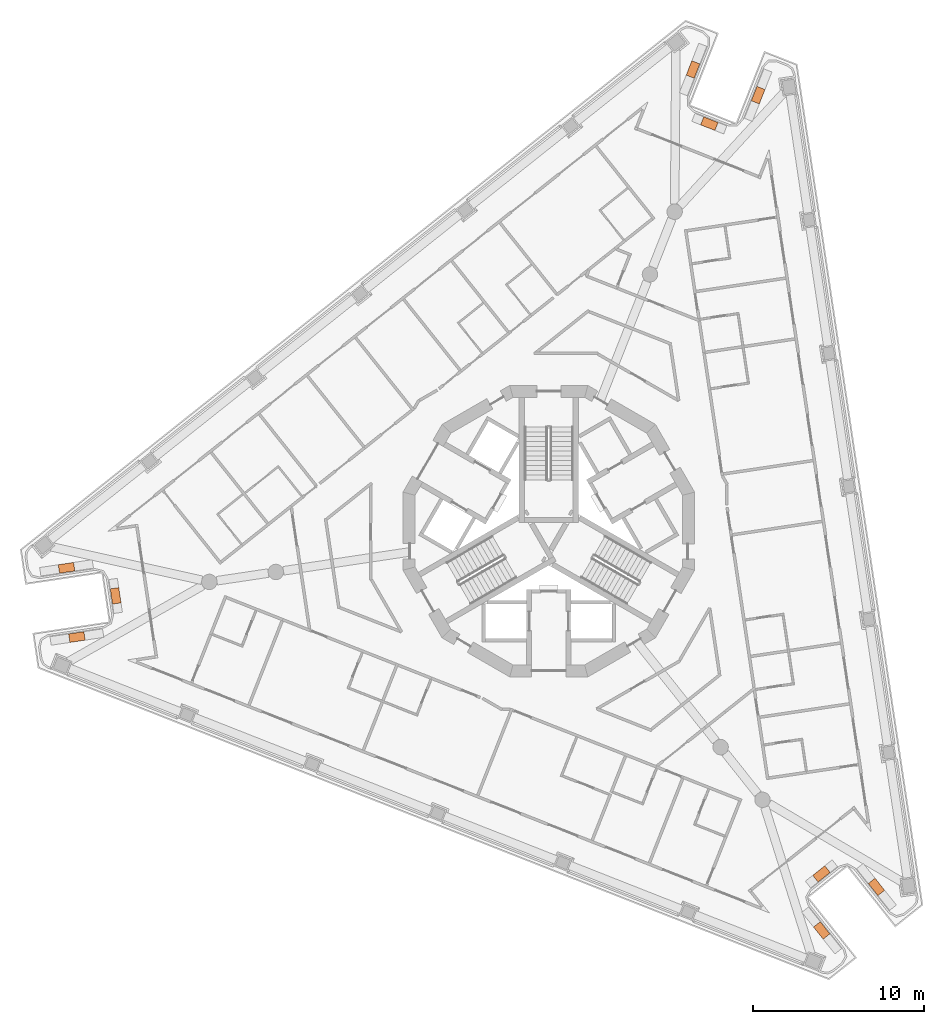
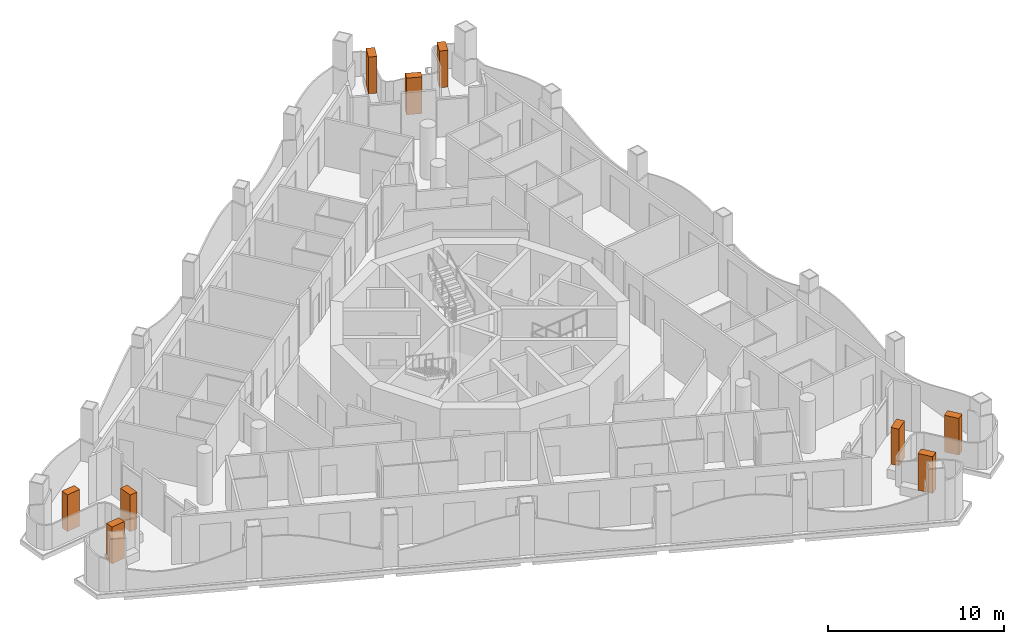
# One storey, part 16 of 16: 9 geographic elements.
"""IFC4 building model written with IfcOpenShell, lengths in metres."""

from ifc_helpers import new_model, si_unit, direction, frame, origin, origin_2d, place, context, subcontext, project, spatial, rectangle, extrude, element, save


model = new_model("IFC4")

# Units and contexts
model_context = context("Model", 3, precision=1e-05, world=origin(), true_north=direction((0.0, 1.0)))
body_context = subcontext(model_context, "Body", "Model", "MODEL_VIEW")
ifc_project = project(units=[si_unit("LENGTHUNIT", "METRE"), si_unit("AREAUNIT", "SQUARE_METRE"), si_unit("VOLUMEUNIT", "CUBIC_METRE"), si_unit("PLANEANGLEUNIT", "RADIAN"), si_unit("MASSUNIT", "GRAM", prefix="KILO")], contexts=[model_context])

# Site, building, storey
site_placement = place(None, origin())
site = spatial("IfcSite", under=ifc_project, at=site_placement, CompositionType="ELEMENT")
building_placement = place(site_placement, origin())
building = spatial("IfcBuilding", under=site, at=building_placement, Name="Trine Commons Tower", CompositionType="ELEMENT")
storey_placement = place(building_placement, frame((0.0, 0.0, 201.60009765625)))
storey = spatial("IfcBuildingStorey", under=building, at=storey_placement, Name="L52", CompositionType="ELEMENT", Elevation=201.60009765625)

# Geographic elements
for number, where, z_axis, x_axis, name in (
    (1, (52.4794921875, 56.324462890625, 0.60009765625), (0.0, 0.0, 1.0), (0.989018700917, 0.147790423361, 0.0), "Tree 1.1"),
    (2, (54.73974609375, 58.724853515625, 0.60009765625), (0.0, 0.0, 1.0), (-0.147812863445, 0.989015347404, 0.0), "Tree 2.1"),
    (3, (51.87646484375, 60.359619140625, 0.60009765625), (0.0, 0.0, 1.0), (-0.989014831433, -0.147816315759, 0.0), "Tree 3.1"),
    (4, (88.412109375, 89.421142578125, 0.60009765625), (0.0, 0.0, 1.0), (-0.366494731175, -0.930420126621, 0.0), "Tree 4.1"),
    (5, (89.360595703125, 86.263671875, 0.60009765625), (0.0, 0.0, 1.0), (0.930416928315, -0.366502850609, 0.0), "Tree 5.1"),
    (6, (92.2080078125, 87.92578125, 0.60009765625), (0.0, 0.0, 1.0), (0.366520713264, 0.930409891794, 0.0), "Tree 6.1"),
    (7, (99.1083984375, 41.75439453125, 0.60009765625), (0.0, 0.0, 1.0), (-0.622516002546, 0.782607070358, 0.0), "Tree 7.1"),
    (8, (95.899658203125, 42.511474609375, 0.60009765625), (0.0, 0.0, 1.0), (-0.782586426516, -0.622541954437, 0.0), "Tree 8.1"),
    (9, (95.915283203125, 39.214599609375, 0.60009765625), (0.0, 0.0, 1.0), (0.622516002546, -0.782607070358, 0.0), "Tree 9.1"),
):
    element("IfcGeographicElement", number, at=place(storey_placement, frame(where, z_axis=z_axis, x_axis=x_axis)), inside=storey, Name=name, ObjectType="TREE Tabebuia rosea", PredefinedType="USERDEFINED", context=body_context, shape_type="SweptSolid", body=[
        extrude(rectangle(XDim=0.89990234375, YDim=0.5, at=origin_2d()), origin(), (0.0, 0.0, 1.0), 2.550048828125),
    ])

save(model, "model.ifc")
